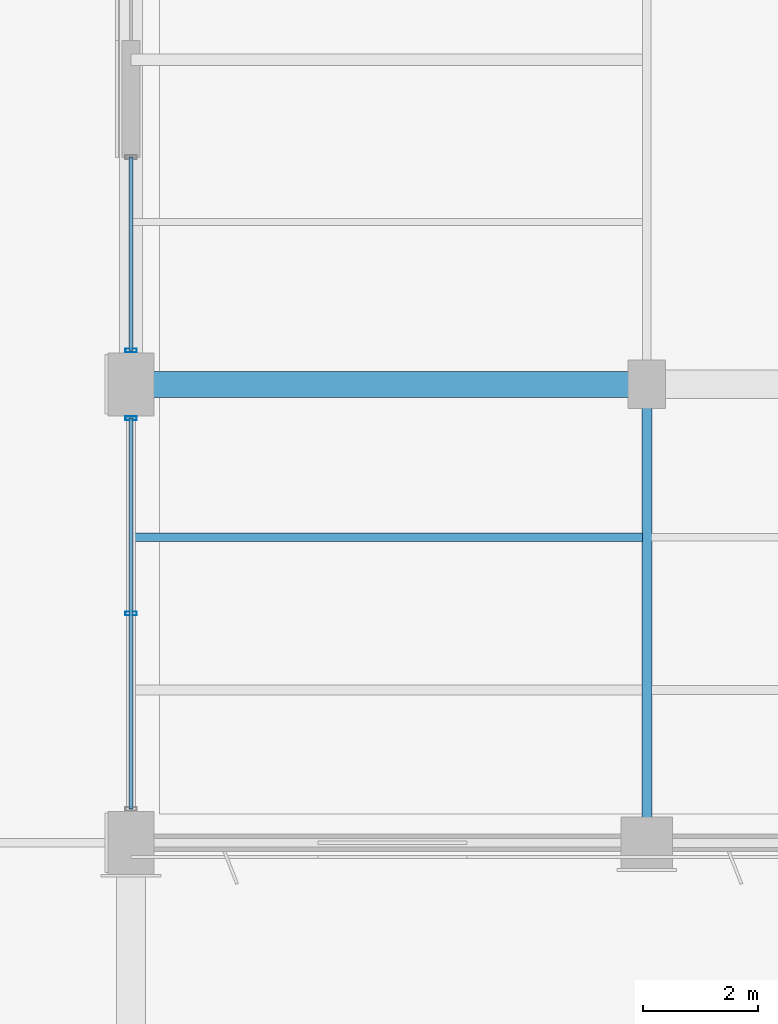
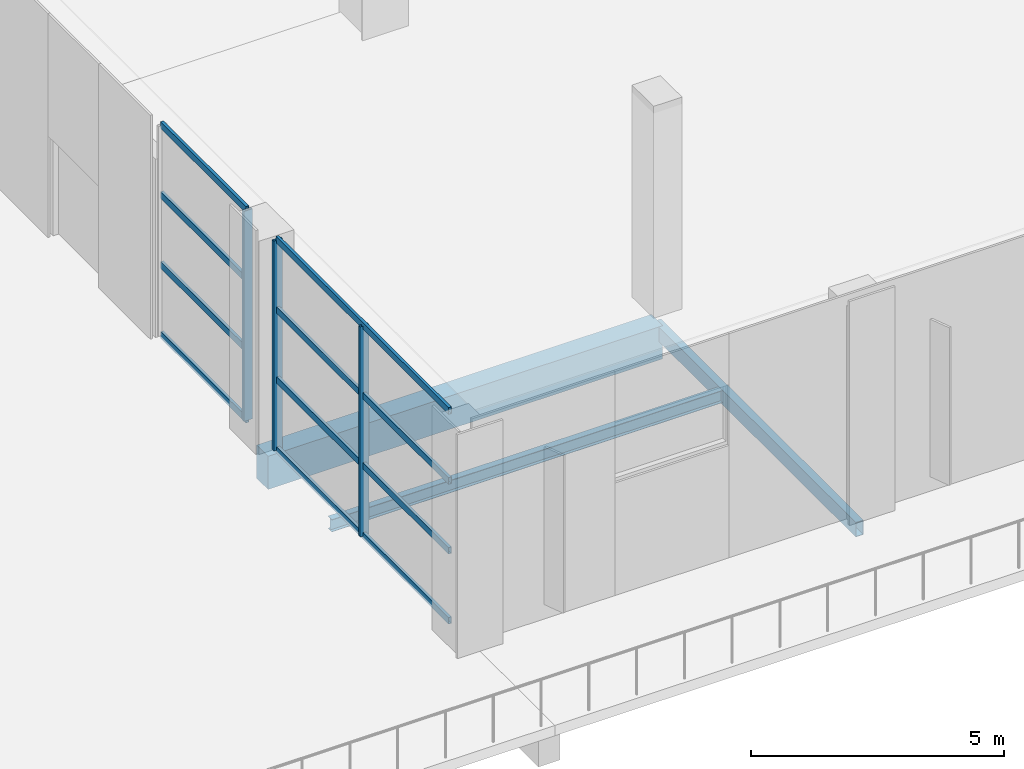
# One storey, part 35 of 90: 11 members, 3 beams, 2 elements without a shape of their own.
"""IFC4 building model written with IfcOpenShell, lengths in metres."""

from ifc_helpers import new_model, si_unit, direction, frame, origin, origin_2d, place, context, subcontext, project, spatial, rectangle, hollow_rectangle, i_section, extrude, material, material_profile, profile_set, type_object, element, aggregate, save


model = new_model("IFC4")

# Units and contexts
model_context = context("Model", 3, precision=1e-05, world=origin(), true_north=direction((0.0, 1.0)))
body_context = subcontext(model_context, "Body", "Model", "MODEL_VIEW")
ifc_project = project(units=[si_unit("LENGTHUNIT", "METRE"), si_unit("AREAUNIT", "SQUARE_METRE"), si_unit("VOLUMEUNIT", "CUBIC_METRE"), si_unit("PLANEANGLEUNIT", "RADIAN"), si_unit("MASSUNIT", "GRAM", prefix="KILO")], contexts=[model_context])

# Site, building, storey
site_placement = place(None, origin())
site = spatial("IfcSite", under=ifc_project, at=site_placement, CompositionType="ELEMENT")
building_placement = place(site_placement, origin())
building = spatial("IfcBuilding", under=site, at=building_placement, Name="Solvikara Media Centre", CompositionType="ELEMENT")
storey_placement = place(building_placement, origin())
storey = spatial("IfcBuildingStorey", under=building, at=storey_placement, Name="L00", CompositionType="ELEMENT", Elevation=0.0)

# Beams
ifc_material_1 = material(Name="Concrete fc' 35 MPa (C35/45)", Category="concrete")
ifc_material_profile_1 = material_profile(ifc_material_1, rectangle(XDim=0.449951171875, YDim=0.800048828125, at=origin_2d()), Name="RC 450x800")
ifc_profile_set_1 = profile_set([ifc_material_profile_1], Name="Concrete fc' 35 MPa (C35/45)")
beam_type_1 = type_object("IfcBeamType", Name="BM-06", PredefinedType="BEAM", material=ifc_profile_set_1)
beam_1_placement = place(storey_placement, frame((127.5, 8.0, -0.780029296875), z_axis=(1.0, 0.0, 0.0), x_axis=(0.0, 1.0, 0.0)))
element("IfcBeam", 1, at=beam_1_placement, inside=storey, type_object=beam_type_1, Name="B-L00-X0018", PredefinedType="BEAM", context=body_context, shape_type="SweptSolid", body=[
    extrude(rectangle(XDim=0.449951171875, YDim=0.800048828125, at=origin_2d()), origin(), (0.0, 0.0, 1.0), 9.0),
])
ifc_material_2 = material(Name="Steel S355JR", Category="steel")
ifc_material_profile_2 = material_profile(ifc_material_2, i_section(OverallWidth=0.14990234375, OverallDepth=0.300048828125, WebThickness=0.006591796875, FlangeThickness=0.009033203125, at=origin_2d()), Name="WF 300x150x6.5x9")
ifc_profile_set_2 = profile_set([ifc_material_profile_2], Name="Steel S355JR")
beam_type_2 = type_object("IfcBeamType", Name="BM-23", PredefinedType="JOIST", material=ifc_profile_set_2)
beam_2_placement = place(storey_placement, frame((127.5, 5.3330078125, -0.531982421875), z_axis=(1.0, 0.0, 0.0), x_axis=(0.0, 1.0, 0.0)))
element("IfcBeam", 2, at=beam_2_placement, inside=storey, type_object=beam_type_2, Name="J-L00-0379", PredefinedType="JOIST", context=body_context, shape_type="SweptSolid", body=[
    extrude(i_section(OverallWidth=0.14990234375, OverallDepth=0.300048828125, WebThickness=0.006591796875, FlangeThickness=0.009033203125, at=origin_2d()), origin(), (0.0, 0.0, 1.0), 8.922119140625),
])
ifc_material_profile_3 = material_profile(ifc_material_2, hollow_rectangle(XDim=0.175048828125, YDim=0.35009765625, WallThickness=0.010009765625, at=origin_2d()), Name="RHS 350x175x10")
ifc_profile_set_3 = profile_set([ifc_material_profile_3], Name="Steel S355JR")
beam_type_3 = type_object("IfcBeamType", Name="BM-34", PredefinedType="SPANDREL", material=ifc_profile_set_3)
beam_3_placement = place(storey_placement, frame((136.5, 0.0, -0.556884765625), z_axis=(0.0, 1.0, 0.0), x_axis=(-1.0, 0.0, 0.0)))
element("IfcBeam", 3, at=beam_3_placement, inside=storey, type_object=beam_type_3, Name="B-L00-Y0202", PredefinedType="SPANDREL", context=body_context, shape_type="SweptSolid", body=[
    extrude(hollow_rectangle(XDim=0.175048828125, YDim=0.35009765625, WallThickness=0.010009765625, at=origin_2d()), origin(), (0.0, 0.0, 1.0), 8.0),
])

# Curtain wall, members
ifc_material_3 = material(Name="Anodised aluminium EN AW-6063", Category="aluminium")
curtain_wall_type = type_object("IfcCurtainWallType", Name="CW-11", PredefinedType="NOTDEFINED", material=ifc_material_3)
curtain_wall_1_placement = place(storey_placement, origin())
curtain_wall_1 = element("IfcCurtainWall", 4, at=curtain_wall_1_placement, inside=storey, type_object=curtain_wall_type, Name="CW-L00-V5-WS-S1", PredefinedType="NOTDEFINED")
ifc_material_profile_4 = material_profile(ifc_material_3, hollow_rectangle(XDim=0.06494140625, YDim=0.199951171875, WallThickness=0.00390625, at=origin_2d()), Name="ALU-M 65x200x4")
ifc_profile_set_4 = profile_set([ifc_material_profile_4], Name="Anodised aluminium EN AW-6063")
member_type_1 = type_object("IfcMemberType", Name="MF-02", PredefinedType="MULLION", material=ifc_profile_set_4)
member_1_placement = place(storey_placement, frame((127.5, 4.0, 0.02001953125), z_axis=(0.0, 0.0, 1.0), x_axis=(0.0, 1.0, 0.0)))
member_1 = element("IfcMember", 5, at=member_1_placement, type_object=member_type_1, Name="CW-L00-V5-WS-S1-M01", PredefinedType="MULLION", context=body_context, shape_type="SweptSolid", body=[
    extrude(hollow_rectangle(XDim=0.06494140625, YDim=0.199951171875, WallThickness=0.00390625, at=origin_2d()), origin(), (0.0, 0.0, 1.0), 5.06005859375),
])
member_2_placement = place(storey_placement, frame((127.5, 7.409912109375, 0.02001953125), z_axis=(0.0, 0.0, 1.0), x_axis=(0.0, 1.0, 0.0)))
member_2 = element("IfcMember", 6, at=member_2_placement, type_object=member_type_1, Name="CW-L00-V5-WS-S1-M02", PredefinedType="MULLION", context=body_context, shape_type="SweptSolid", body=[
    extrude(hollow_rectangle(XDim=0.06494140625, YDim=0.199951171875, WallThickness=0.00390625, at=origin_2d()), origin(), (0.0, 0.0, 1.0), 5.06005859375),
])

# Curtain wall, member
curtain_wall_2_placement = place(storey_placement, origin())
curtain_wall_2 = element("IfcCurtainWall", 7, at=curtain_wall_2_placement, inside=storey, type_object=curtain_wall_type, Name="CW-L00-V5-WS-S2", PredefinedType="NOTDEFINED")
member_3_placement = place(storey_placement, frame((127.5, 8.590087890625, 0.02001953125), z_axis=(0.0, 0.0, 1.0), x_axis=(0.0, 1.0, 0.0)))
member_3 = element("IfcMember", 8, at=member_3_placement, type_object=member_type_1, Name="CW-L00-V5-WS-S2-M00", PredefinedType="MULLION", context=body_context, shape_type="SweptSolid", body=[
    extrude(hollow_rectangle(XDim=0.06494140625, YDim=0.199951171875, WallThickness=0.00390625, at=origin_2d()), origin(), (0.0, 0.0, 1.0), 5.06005859375),
])

# Member
ifc_material_profile_5 = material_profile(ifc_material_3, hollow_rectangle(XDim=0.06494140625, YDim=0.159912109375, WallThickness=0.00341796875, at=origin_2d()), Name="ALU-T 65x160x3.5")
ifc_profile_set_5 = profile_set([ifc_material_profile_5], Name="Anodised aluminium EN AW-6063")
member_type_2 = type_object("IfcMemberType", Name="MF-08", PredefinedType="USERDEFINED", material=ifc_profile_set_5)
member_4_placement = place(storey_placement, frame((127.5, 0.590087890625, 0.02001953125), z_axis=(0.0, 1.0, 0.0), x_axis=(-1.0, 0.0, 0.0)))
member_4 = element("IfcMember", 9, at=member_4_placement, type_object=member_type_2, Name="CW-L00-V5-WS-S1-T00", ObjectType="TRANSOM", PredefinedType="USERDEFINED", context=body_context, shape_type="SweptSolid", body=[
    extrude(hollow_rectangle(XDim=0.06494140625, YDim=0.159912109375, WallThickness=0.00341796875, at=origin_2d()), origin(), (0.0, 0.0, 1.0), 6.81982421875),
])

member_5_placement = place(storey_placement, frame((127.5, 0.590087890625, 1.70703125), z_axis=(0.0, 1.0, 0.0), x_axis=(-1.0, 0.0, 0.0)))
member_5 = element("IfcMember", 10, at=member_5_placement, type_object=member_type_2, Name="CW-L00-V5-WS-S1-T01", ObjectType="TRANSOM", PredefinedType="USERDEFINED", context=body_context, shape_type="SweptSolid", body=[
    extrude(hollow_rectangle(XDim=0.06494140625, YDim=0.159912109375, WallThickness=0.00341796875, at=origin_2d()), origin(), (0.0, 0.0, 1.0), 6.81982421875),
])

member_6_placement = place(storey_placement, frame((127.5, 0.590087890625, 3.39306640625), z_axis=(0.0, 1.0, 0.0), x_axis=(-1.0, 0.0, 0.0)))
member_6 = element("IfcMember", 11, at=member_6_placement, type_object=member_type_2, Name="CW-L00-V5-WS-S1-T02", ObjectType="TRANSOM", PredefinedType="USERDEFINED", context=body_context, shape_type="SweptSolid", body=[
    extrude(hollow_rectangle(XDim=0.06494140625, YDim=0.159912109375, WallThickness=0.00341796875, at=origin_2d()), origin(), (0.0, 0.0, 1.0), 6.81982421875),
])

member_7_placement = place(storey_placement, frame((127.5, 0.590087890625, 5.080078125), z_axis=(0.0, 1.0, 0.0), x_axis=(-1.0, 0.0, 0.0)))
member_7 = element("IfcMember", 12, at=member_7_placement, type_object=member_type_2, Name="CW-L00-V5-WS-S1-T03", ObjectType="TRANSOM", PredefinedType="USERDEFINED", context=body_context, shape_type="SweptSolid", body=[
    extrude(hollow_rectangle(XDim=0.06494140625, YDim=0.159912109375, WallThickness=0.00341796875, at=origin_2d()), origin(), (0.0, 0.0, 1.0), 6.81982421875),
])

aggregate(curtain_wall_1, [member_1, member_2, member_4, member_5, member_6, member_7])

member_8_placement = place(storey_placement, frame((127.5, 8.590087890625, 0.02001953125), z_axis=(0.0, 1.0, 0.0), x_axis=(-1.0, 0.0, 0.0)))
member_8 = element("IfcMember", 13, at=member_8_placement, type_object=member_type_2, Name="CW-L00-V5-WS-S2-T00", ObjectType="TRANSOM", PredefinedType="USERDEFINED", context=body_context, shape_type="SweptSolid", body=[
    extrude(hollow_rectangle(XDim=0.06494140625, YDim=0.159912109375, WallThickness=0.00341796875, at=origin_2d()), origin(), (0.0, 0.0, 1.0), 3.375),
])

member_9_placement = place(storey_placement, frame((127.5, 8.590087890625, 1.70703125), z_axis=(0.0, 1.0, 0.0), x_axis=(-1.0, 0.0, 0.0)))
member_9 = element("IfcMember", 14, at=member_9_placement, type_object=member_type_2, Name="CW-L00-V5-WS-S2-T01", ObjectType="TRANSOM", PredefinedType="USERDEFINED", context=body_context, shape_type="SweptSolid", body=[
    extrude(hollow_rectangle(XDim=0.06494140625, YDim=0.159912109375, WallThickness=0.00341796875, at=origin_2d()), origin(), (0.0, 0.0, 1.0), 3.375),
])

member_10_placement = place(storey_placement, frame((127.5, 8.590087890625, 3.39306640625), z_axis=(0.0, 1.0, 0.0), x_axis=(-1.0, 0.0, 0.0)))
member_10 = element("IfcMember", 15, at=member_10_placement, type_object=member_type_2, Name="CW-L00-V5-WS-S2-T02", ObjectType="TRANSOM", PredefinedType="USERDEFINED", context=body_context, shape_type="SweptSolid", body=[
    extrude(hollow_rectangle(XDim=0.06494140625, YDim=0.159912109375, WallThickness=0.00341796875, at=origin_2d()), origin(), (0.0, 0.0, 1.0), 3.375),
])

member_11_placement = place(storey_placement, frame((127.5, 8.590087890625, 5.080078125), z_axis=(0.0, 1.0, 0.0), x_axis=(-1.0, 0.0, 0.0)))
member_11 = element("IfcMember", 16, at=member_11_placement, type_object=member_type_2, Name="CW-L00-V5-WS-S2-T03", ObjectType="TRANSOM", PredefinedType="USERDEFINED", context=body_context, shape_type="SweptSolid", body=[
    extrude(hollow_rectangle(XDim=0.06494140625, YDim=0.159912109375, WallThickness=0.00341796875, at=origin_2d()), origin(), (0.0, 0.0, 1.0), 3.375),
])

aggregate(curtain_wall_2, [member_3, member_8, member_9, member_10, member_11])

save(model, "model.ifc")
